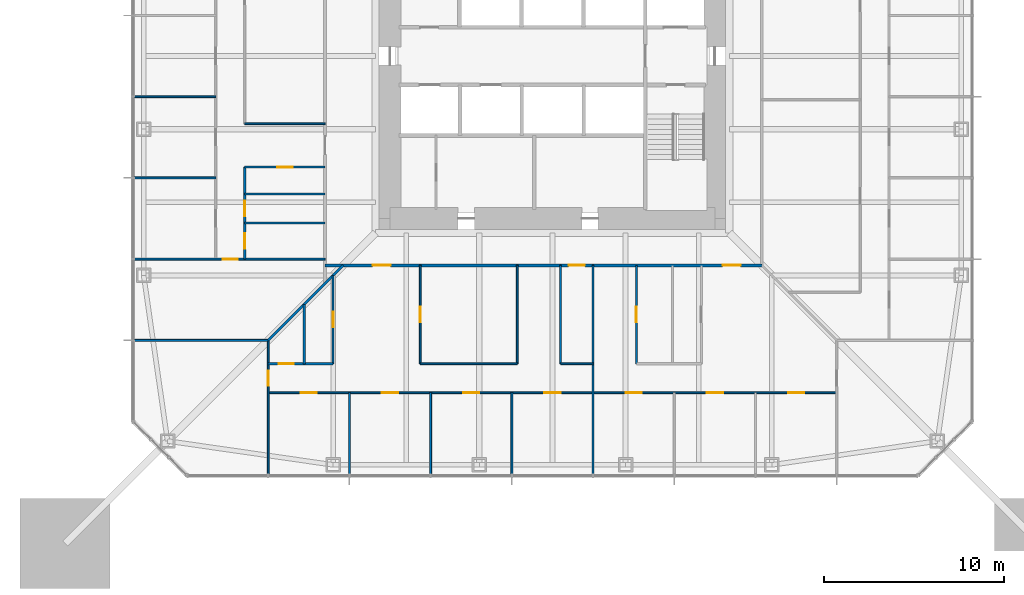
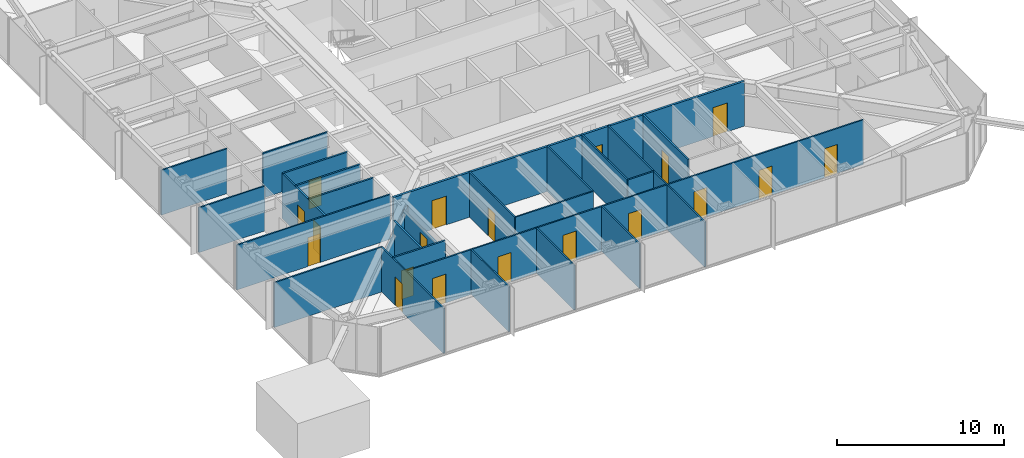
# One storey, part 14 of 26: 26 walls, 19 doors, 19 openings.
"""IFC4 building model written with IfcOpenShell, lengths in metres."""

from ifc_helpers import new_model, si_unit, direction, frame, frame_2d, origin, place, context, subcontext, project, spatial, rectangle, extrude, material, layer, layer_set, type_object, element, fill, save


model = new_model("IFC4")

# Units and contexts
model_context = context("Model", 3, precision=1e-05, world=origin(), true_north=direction((0.0, 1.0)))
body_context = subcontext(model_context, "Body", "Model", "MODEL_VIEW")
ifc_project = project(units=[si_unit("LENGTHUNIT", "METRE"), si_unit("AREAUNIT", "SQUARE_METRE"), si_unit("VOLUMEUNIT", "CUBIC_METRE"), si_unit("PLANEANGLEUNIT", "RADIAN"), si_unit("MASSUNIT", "GRAM", prefix="KILO")], contexts=[model_context])

# Site, building, storey
site_placement = place(None, origin())
site = spatial("IfcSite", under=ifc_project, at=site_placement, CompositionType="ELEMENT")
building_placement = place(site_placement, origin())
building = spatial("IfcBuilding", under=site, at=building_placement, Name="Iwan Alto Co-Living Towers", CompositionType="ELEMENT")
storey_placement = place(building_placement, frame((0.0, 0.0, 46.5)))
storey = spatial("IfcBuildingStorey", under=building, at=storey_placement, Name="L12", CompositionType="ELEMENT", Elevation=46.5)

# Wall, openings, doors
ifc_material_1 = material(Name="Gypsum board")
ifc_layer_1 = layer(ifc_material_1, 0.02490234375, Name="Board", Category="Finish")
ifc_material_2 = material(Name="Steel ASTM A1003 ST33H cold-formed studs", Category="steel")
ifc_layer_2 = layer(ifc_material_2, 0.10009765625, Name="Studs", Category="Framing")
ifc_layer_3 = layer(ifc_material_1, 0.02490234375, Name="Board", Category="Finish")
ifc_layer_set_1 = layer_set([ifc_layer_1, ifc_layer_2, ifc_layer_3], Name="CORRIDOR WALL 150")
wall_type_1 = type_object("IfcWallType", Name="CORRIDOR WALL 150", PredefinedType="PARTITIONING", material=ifc_layer_set_1)
wall_1_placement = place(storey_placement, frame((-12.60009765625, -11.60009765625, 0.0), z_axis=(0.0, 0.0, 1.0), x_axis=(1.0, 0.0, 0.0)))
wall_1 = element("IfcWall", 1, at=wall_1_placement, inside=storey, type_object=wall_type_1, Name="Partition L12", PredefinedType="PARTITIONING", context=body_context, shape_type="SweptSolid", body=[
    extrude(rectangle(XDim=24.2001953125, YDim=0.14990234375, at=frame_2d((12.10009765625, 0.0))), origin(), (0.0, 0.0, 1.0), 3.27001953125),
])
opening_1_placement = place(wall_1_placement, frame((2.639892578125, 0.0, 0.0)))
opening_1 = element("IfcOpeningElement", 2, at=opening_1_placement, cuts=wall_1, Name="Opening D3", PredefinedType="OPENING", context=body_context, shape_type="SweptSolid", body=[
    extrude(rectangle(XDim=1.0, YDim=2.10009765625, at=frame_2d((0.5, 1.050048828125))), frame((0.0, 0.0849609375, 0.0), z_axis=(0.0, -1.0, 0.0), x_axis=(1.0, 0.0, 0.0)), (0.0, 0.0, 1.0), 0.169921875),
])
opening_2_placement = place(wall_1_placement, frame((13.5, 0.0, 0.0)))
opening_2 = element("IfcOpeningElement", 3, at=opening_2_placement, cuts=wall_1, Name="Opening D8", PredefinedType="OPENING", context=body_context, shape_type="SweptSolid", body=[
    extrude(rectangle(XDim=0.89990234375, YDim=2.10009765625, at=frame_2d((0.449951171875, 1.050048828125))), frame((0.0, 0.0849609375, 0.0), z_axis=(0.0, -1.0, 0.0), x_axis=(1.0, 0.0, 0.0)), (0.0, 0.0, 1.0), 0.169921875),
])
opening_3_placement = place(wall_1_placement, frame((22.02490234375, 0.0, 0.0)))
opening_3 = element("IfcOpeningElement", 4, at=opening_3_placement, cuts=wall_1, Name="Opening D3", PredefinedType="OPENING", context=body_context, shape_type="SweptSolid", body=[
    extrude(rectangle(XDim=1.0, YDim=2.10009765625, at=frame_2d((0.5, 1.050048828125))), frame((0.0, 0.0849609375, 0.0), z_axis=(0.0, -1.0, 0.0), x_axis=(1.0, 0.0, 0.0)), (0.0, 0.0, 1.0), 0.169921875),
])
ifc_material_3 = material(Name="Steel frame with timber leaf", Category="steel")
door_type_1 = type_object("IfcDoorType", Name="FLAT ENTRANCE DOOR FD30S 1000X2100", OperationType="SINGLE_SWING_LEFT", PredefinedType="DOOR", material=ifc_material_3)
door_1_placement = place(opening_1_placement, frame((1.0, 0.0, 0.0), z_axis=(0.0, 0.0, 1.0), x_axis=(-1.0, 0.0, 0.0)))
door_1 = element("IfcDoor", 5, at=door_1_placement, inside=storey, type_object=door_type_1, Name="Cluster lounge door L12", OperationType="SINGLE_SWING_LEFT", OverallHeight=2.10009765625, OverallWidth=1.0, PredefinedType="DOOR", context=body_context, shape_type="SweptSolid", body=[
    extrude(rectangle(XDim=1.0, YDim=2.10009765625, at=frame_2d((0.5, 1.050048828125))), frame((0.0, 0.02490234375, 0.0), z_axis=(0.0, -1.0, 0.0), x_axis=(1.0, 0.0, 0.0)), (0.0, 0.0, 1.0), 0.050048828125),
])
fill(opening_1, door_1)
door_2_placement = place(opening_3_placement, frame((1.0, 0.0, 0.0), z_axis=(0.0, 0.0, 1.0), x_axis=(-1.0, 0.0, 0.0)))
door_2 = element("IfcDoor", 6, at=door_2_placement, inside=storey, type_object=door_type_1, Name="Cluster lounge door L12", OperationType="SINGLE_SWING_RIGHT", OverallHeight=2.10009765625, OverallWidth=1.0, PredefinedType="DOOR", context=body_context, shape_type="SweptSolid", body=[
    extrude(rectangle(XDim=1.0, YDim=2.10009765625, at=frame_2d((0.5, 1.050048828125))), frame((0.0, 0.02490234375, 0.0), z_axis=(0.0, -1.0, 0.0), x_axis=(1.0, 0.0, 0.0)), (0.0, 0.0, 1.0), 0.050048828125),
])
fill(opening_3, door_2)
ifc_material_4 = material(Name="Steel frame with timber leaf", Category="steel")
door_type_2 = type_object("IfcDoorType", Name="RISER DOOR FD120 900X2100", OperationType="SINGLE_SWING_LEFT", PredefinedType="DOOR", material=ifc_material_4)
door_3_placement = place(opening_2_placement, frame((0.89990234375, 0.0, 0.0), z_axis=(0.0, 0.0, 1.0), x_axis=(-1.0, 0.0, 0.0)))
door_3 = element("IfcDoor", 7, at=door_3_placement, inside=storey, type_object=door_type_2, Name="Comms room door L12", OperationType="SINGLE_SWING_RIGHT", OverallHeight=2.10009765625, OverallWidth=0.89990234375, PredefinedType="DOOR", context=body_context, shape_type="SweptSolid", body=[
    extrude(rectangle(XDim=0.89990234375, YDim=2.10009765625, at=frame_2d((0.449951171875, 1.050048828125))), frame((0.0, 0.02490234375, 0.0), z_axis=(0.0, -1.0, 0.0), x_axis=(1.0, 0.0, 0.0)), (0.0, 0.0, 1.0), 0.050048828125),
])
fill(opening_2, door_3)

ifc_layer_4 = layer(ifc_material_1, 0.012451171875, Name="Board", Category="Finish")
ifc_layer_5 = layer(ifc_material_2, 0.074951171875, Name="Studs", Category="Framing")
ifc_layer_6 = layer(ifc_material_1, 0.012451171875, Name="Board", Category="Finish")
ifc_layer_set_2 = layer_set([ifc_layer_4, ifc_layer_5, ifc_layer_6], Name="PARTITION 100")
wall_type_2 = type_object("IfcWallType", Name="PARTITION 100", PredefinedType="PARTITIONING", material=ifc_layer_set_2)
wall_2_placement = place(storey_placement, frame((-15.75, -18.64990234375, 0.0), z_axis=(0.0, 0.0, 1.0), x_axis=(1.0, 0.0, 0.0)))
wall_2 = element("IfcWall", 8, at=wall_2_placement, inside=storey, type_object=wall_type_2, Name="Partition L12", PredefinedType="PARTITIONING", context=body_context, shape_type="SweptSolid", body=[
    extrude(rectangle(XDim=31.5, YDim=0.10009765625, at=frame_2d((15.75, 0.0))), origin(), (0.0, 0.0, 1.0), 3.27001953125),
])
opening_4_placement = place(wall_2_placement, frame((1.800048828125, 0.0, 0.0)))
opening_4 = element("IfcOpeningElement", 9, at=opening_4_placement, cuts=wall_2, Name="Opening D1", PredefinedType="OPENING", context=body_context, shape_type="SweptSolid", body=[
    extrude(rectangle(XDim=0.89990234375, YDim=2.10009765625, at=frame_2d((0.449951171875, 1.050048828125))), frame((0.0, 0.06005859375, 0.0), z_axis=(0.0, -1.0, 0.0), x_axis=(1.0, 0.0, 0.0)), (0.0, 0.0, 1.0), 0.1201171875),
])
opening_5_placement = place(wall_2_placement, frame((6.300048828125, 0.0, 0.0)))
opening_5 = element("IfcOpeningElement", 10, at=opening_5_placement, cuts=wall_2, Name="Opening D1", PredefinedType="OPENING", context=body_context, shape_type="SweptSolid", body=[
    extrude(rectangle(XDim=0.89990234375, YDim=2.10009765625, at=frame_2d((0.449951171875, 1.050048828125))), frame((0.0, 0.06005859375, 0.0), z_axis=(0.0, -1.0, 0.0), x_axis=(1.0, 0.0, 0.0)), (0.0, 0.0, 1.0), 0.1201171875),
])
opening_6_placement = place(wall_2_placement, frame((10.800048828125, 0.0, 0.0)))
opening_6 = element("IfcOpeningElement", 11, at=opening_6_placement, cuts=wall_2, Name="Opening D1", PredefinedType="OPENING", context=body_context, shape_type="SweptSolid", body=[
    extrude(rectangle(XDim=0.89990234375, YDim=2.10009765625, at=frame_2d((0.449951171875, 1.050048828125))), frame((0.0, 0.06005859375, 0.0), z_axis=(0.0, -1.0, 0.0), x_axis=(1.0, 0.0, 0.0)), (0.0, 0.0, 1.0), 0.1201171875),
])
opening_7_placement = place(wall_2_placement, frame((15.300048828125, 0.0, 0.0)))
opening_7 = element("IfcOpeningElement", 12, at=opening_7_placement, cuts=wall_2, Name="Opening D1", PredefinedType="OPENING", context=body_context, shape_type="SweptSolid", body=[
    extrude(rectangle(XDim=0.89990234375, YDim=2.10009765625, at=frame_2d((0.449951171875, 1.050048828125))), frame((0.0, 0.06005859375, 0.0), z_axis=(0.0, -1.0, 0.0), x_axis=(1.0, 0.0, 0.0)), (0.0, 0.0, 1.0), 0.1201171875),
])
opening_8_placement = place(wall_2_placement, frame((19.800048828125, 0.0, 0.0)))
opening_8 = element("IfcOpeningElement", 13, at=opening_8_placement, cuts=wall_2, Name="Opening D1", PredefinedType="OPENING", context=body_context, shape_type="SweptSolid", body=[
    extrude(rectangle(XDim=0.89990234375, YDim=2.10009765625, at=frame_2d((0.449951171875, 1.050048828125))), frame((0.0, 0.06005859375, 0.0), z_axis=(0.0, -1.0, 0.0), x_axis=(1.0, 0.0, 0.0)), (0.0, 0.0, 1.0), 0.1201171875),
])
opening_9_placement = place(wall_2_placement, frame((24.300048828125, 0.0, 0.0)))
opening_9 = element("IfcOpeningElement", 14, at=opening_9_placement, cuts=wall_2, Name="Opening D1", PredefinedType="OPENING", context=body_context, shape_type="SweptSolid", body=[
    extrude(rectangle(XDim=0.89990234375, YDim=2.10009765625, at=frame_2d((0.449951171875, 1.050048828125))), frame((0.0, 0.06005859375, 0.0), z_axis=(0.0, -1.0, 0.0), x_axis=(1.0, 0.0, 0.0)), (0.0, 0.0, 1.0), 0.1201171875),
])
opening_10_placement = place(wall_2_placement, frame((28.800048828125, 0.0, 0.0)))
opening_10 = element("IfcOpeningElement", 15, at=opening_10_placement, cuts=wall_2, Name="Opening D1", PredefinedType="OPENING", context=body_context, shape_type="SweptSolid", body=[
    extrude(rectangle(XDim=0.89990234375, YDim=2.10009765625, at=frame_2d((0.449951171875, 1.050048828125))), frame((0.0, 0.06005859375, 0.0), z_axis=(0.0, -1.0, 0.0), x_axis=(1.0, 0.0, 0.0)), (0.0, 0.0, 1.0), 0.1201171875),
])
ifc_material_5 = material(Name="Timber leaf in steel frame", Category="steel")
door_type_3 = type_object("IfcDoorType", Name="BEDROOM DOOR 900X2100", OperationType="SINGLE_SWING_LEFT", PredefinedType="DOOR", material=ifc_material_5)
door_4_placement = place(opening_4_placement, origin())
door_4 = element("IfcDoor", 16, at=door_4_placement, inside=storey, type_object=door_type_3, Name="Study bedroom door L12", OperationType="SINGLE_SWING_LEFT", OverallHeight=2.10009765625, OverallWidth=0.89990234375, PredefinedType="DOOR", context=body_context, shape_type="SweptSolid", body=[
    extrude(rectangle(XDim=0.89990234375, YDim=2.10009765625, at=frame_2d((0.449951171875, 1.050048828125))), frame((0.0, 0.02490234375, 0.0), z_axis=(0.0, -1.0, 0.0), x_axis=(1.0, 0.0, 0.0)), (0.0, 0.0, 1.0), 0.050048828125),
])
fill(opening_4, door_4)
door_5_placement = place(opening_5_placement, origin())
door_5 = element("IfcDoor", 17, at=door_5_placement, inside=storey, type_object=door_type_3, Name="Study bedroom door L12", OperationType="SINGLE_SWING_LEFT", OverallHeight=2.10009765625, OverallWidth=0.89990234375, PredefinedType="DOOR", context=body_context, shape_type="SweptSolid", body=[
    extrude(rectangle(XDim=0.89990234375, YDim=2.10009765625, at=frame_2d((0.449951171875, 1.050048828125))), frame((0.0, 0.02490234375, 0.0), z_axis=(0.0, -1.0, 0.0), x_axis=(1.0, 0.0, 0.0)), (0.0, 0.0, 1.0), 0.050048828125),
])
fill(opening_5, door_5)
door_6_placement = place(opening_6_placement, origin())
door_6 = element("IfcDoor", 18, at=door_6_placement, inside=storey, type_object=door_type_3, Name="Study bedroom door L12", OperationType="SINGLE_SWING_RIGHT", OverallHeight=2.10009765625, OverallWidth=0.89990234375, PredefinedType="DOOR", context=body_context, shape_type="SweptSolid", body=[
    extrude(rectangle(XDim=0.89990234375, YDim=2.10009765625, at=frame_2d((0.449951171875, 1.050048828125))), frame((0.0, 0.02490234375, 0.0), z_axis=(0.0, -1.0, 0.0), x_axis=(1.0, 0.0, 0.0)), (0.0, 0.0, 1.0), 0.050048828125),
])
fill(opening_6, door_6)
door_7_placement = place(opening_7_placement, origin())
door_7 = element("IfcDoor", 19, at=door_7_placement, inside=storey, type_object=door_type_3, Name="Study bedroom door L12", OperationType="SINGLE_SWING_RIGHT", OverallHeight=2.10009765625, OverallWidth=0.89990234375, PredefinedType="DOOR", context=body_context, shape_type="SweptSolid", body=[
    extrude(rectangle(XDim=0.89990234375, YDim=2.10009765625, at=frame_2d((0.449951171875, 1.050048828125))), frame((0.0, 0.02490234375, 0.0), z_axis=(0.0, -1.0, 0.0), x_axis=(1.0, 0.0, 0.0)), (0.0, 0.0, 1.0), 0.050048828125),
])
fill(opening_7, door_7)
door_8_placement = place(opening_8_placement, origin())
door_8 = element("IfcDoor", 20, at=door_8_placement, inside=storey, type_object=door_type_3, Name="Study bedroom door L12", OperationType="SINGLE_SWING_LEFT", OverallHeight=2.10009765625, OverallWidth=0.89990234375, PredefinedType="DOOR", context=body_context, shape_type="SweptSolid", body=[
    extrude(rectangle(XDim=0.89990234375, YDim=2.10009765625, at=frame_2d((0.449951171875, 1.050048828125))), frame((0.0, 0.02490234375, 0.0), z_axis=(0.0, -1.0, 0.0), x_axis=(1.0, 0.0, 0.0)), (0.0, 0.0, 1.0), 0.050048828125),
])
fill(opening_8, door_8)
door_9_placement = place(opening_9_placement, origin())
door_9 = element("IfcDoor", 21, at=door_9_placement, inside=storey, type_object=door_type_3, Name="Study bedroom door L12", OperationType="SINGLE_SWING_LEFT", OverallHeight=2.10009765625, OverallWidth=0.89990234375, PredefinedType="DOOR", context=body_context, shape_type="SweptSolid", body=[
    extrude(rectangle(XDim=0.89990234375, YDim=2.10009765625, at=frame_2d((0.449951171875, 1.050048828125))), frame((0.0, 0.02490234375, 0.0), z_axis=(0.0, -1.0, 0.0), x_axis=(1.0, 0.0, 0.0)), (0.0, 0.0, 1.0), 0.050048828125),
])
fill(opening_9, door_9)
door_10_placement = place(opening_10_placement, origin())
door_10 = element("IfcDoor", 22, at=door_10_placement, inside=storey, type_object=door_type_3, Name="Study bedroom door L12", OperationType="SINGLE_SWING_RIGHT", OverallHeight=2.10009765625, OverallWidth=0.89990234375, PredefinedType="DOOR", context=body_context, shape_type="SweptSolid", body=[
    extrude(rectangle(XDim=0.89990234375, YDim=2.10009765625, at=frame_2d((0.449951171875, 1.050048828125))), frame((0.0, 0.02490234375, 0.0), z_axis=(0.0, -1.0, 0.0), x_axis=(1.0, 0.0, 0.0)), (0.0, 0.0, 1.0), 0.050048828125),
])
fill(opening_10, door_10)

# Walls
wall_3_placement = place(storey_placement, frame((-7.320068359375, -17.050048828125, 0.0), z_axis=(0.0, 0.0, 1.0), x_axis=(1.0, 0.0, 0.0)))
element("IfcWall", 23, at=wall_3_placement, inside=storey, type_object=wall_type_2, Name="Partition L12", PredefinedType="PARTITIONING", context=body_context, shape_type="SweptSolid", body=[
    extrude(rectangle(XDim=5.3701171875, YDim=0.10009765625, at=frame_2d((2.68505859375, 0.0))), origin(), (0.0, 0.0, 1.0), 3.27001953125),
])
wall_4_placement = place(storey_placement, frame((0.449951171875, -17.050048828125, 0.0), z_axis=(0.0, 0.0, 1.0), x_axis=(1.0, 0.0, 0.0)))
element("IfcWall", 24, at=wall_4_placement, inside=storey, type_object=wall_type_2, Name="Partition L12", PredefinedType="PARTITIONING", context=body_context, shape_type="SweptSolid", body=[
    extrude(rectangle(XDim=1.800048828125, YDim=0.10009765625, at=frame_2d((0.89990234375, 0.0))), origin(), (0.0, 0.0, 1.0), 3.27001953125),
])
wall_5_placement = place(storey_placement, frame((-23.18994140625, -15.75, 0.0), z_axis=(0.0, 0.0, 1.0), x_axis=(1.0, 0.0, 0.0)))
element("IfcWall", 25, at=wall_5_placement, inside=storey, type_object=wall_type_2, Name="Partition L12", PredefinedType="PARTITIONING", context=body_context, shape_type="SweptSolid", body=[
    extrude(rectangle(XDim=7.43994140625, YDim=0.10009765625, at=frame_2d((3.719970703125, 0.0))), origin(), (0.0, 0.0, 1.0), 3.27001953125),
])

# Wall, opening, door
wall_6_placement = place(storey_placement, frame((-23.18994140625, -11.25, 0.0), z_axis=(0.0, 0.0, 1.0), x_axis=(1.0, 0.0, 0.0)))
wall_6 = element("IfcWall", 26, at=wall_6_placement, inside=storey, type_object=wall_type_2, Name="Partition L12", PredefinedType="PARTITIONING", context=body_context, shape_type="SweptSolid", body=[
    extrude(rectangle(XDim=10.58984375, YDim=0.10009765625, at=frame_2d((5.294921875, 0.0))), origin(), (0.0, 0.0, 1.0), 3.27001953125),
])
opening_11_placement = place(wall_6_placement, frame((4.9150390625, 0.0, 0.0)))
opening_11 = element("IfcOpeningElement", 27, at=opening_11_placement, cuts=wall_6, Name="Opening D2", PredefinedType="OPENING", context=body_context, shape_type="SweptSolid", body=[
    extrude(rectangle(XDim=0.85009765625, YDim=2.10009765625, at=frame_2d((0.425048828125, 1.050048828125))), frame((0.0, 0.06005859375, 0.0), z_axis=(0.0, -1.0, 0.0), x_axis=(1.0, 0.0, 0.0)), (0.0, 0.0, 1.0), 0.1201171875),
])
ifc_material_6 = material(Name="Timber leaf in steel frame", Category="steel")
door_type_4 = type_object("IfcDoorType", Name="ROOM DOOR 850X2100", OperationType="SINGLE_SWING_LEFT", PredefinedType="DOOR", material=ifc_material_6)
door_11_placement = place(opening_11_placement, origin())
door_11 = element("IfcDoor", 28, at=door_11_placement, inside=storey, type_object=door_type_4, Name="Co-working room door L12", OperationType="SINGLE_SWING_LEFT", OverallHeight=2.10009765625, OverallWidth=0.85009765625, PredefinedType="DOOR", context=body_context, shape_type="SweptSolid", body=[
    extrude(rectangle(XDim=0.85009765625, YDim=2.10009765625, at=frame_2d((0.425048828125, 1.050048828125))), frame((0.0, 0.02490234375, 0.0), z_axis=(0.0, -1.0, 0.0), x_axis=(1.0, 0.0, 0.0)), (0.0, 0.0, 1.0), 0.050048828125),
])
fill(opening_11, door_11)

# Walls
wall_7_placement = place(storey_placement, frame((-23.18994140625, -6.75, 0.0), z_axis=(0.0, 0.0, 1.0), x_axis=(1.0, 0.0, 0.0)))
element("IfcWall", 29, at=wall_7_placement, inside=storey, type_object=wall_type_2, Name="Partition L12", PredefinedType="PARTITIONING", context=body_context, shape_type="SweptSolid", body=[
    extrude(rectangle(XDim=4.5400390625, YDim=0.10009765625, at=frame_2d((2.27001953125, 0.0))), origin(), (0.0, 0.0, 1.0), 3.27001953125),
])
wall_8_placement = place(storey_placement, frame((-17.050048828125, -3.75, 0.0), z_axis=(0.0, 0.0, 1.0), x_axis=(1.0, 0.0, 0.0)))
element("IfcWall", 30, at=wall_8_placement, inside=storey, type_object=wall_type_2, Name="Partition L12", PredefinedType="PARTITIONING", context=body_context, shape_type="SweptSolid", body=[
    extrude(rectangle(XDim=4.449951171875, YDim=0.10009765625, at=frame_2d((2.22509765625, 0.0))), origin(), (0.0, 0.0, 1.0), 3.27001953125),
])
wall_9_placement = place(storey_placement, frame((-23.18994140625, -2.25, 0.0), z_axis=(0.0, 0.0, 1.0), x_axis=(1.0, 0.0, 0.0)))
element("IfcWall", 31, at=wall_9_placement, inside=storey, type_object=wall_type_2, Name="Partition L12", PredefinedType="PARTITIONING", context=body_context, shape_type="SweptSolid", body=[
    extrude(rectangle(XDim=4.5400390625, YDim=0.10009765625, at=frame_2d((2.27001953125, 0.0))), origin(), (0.0, 0.0, 1.0), 3.27001953125),
])
wall_10_placement = place(storey_placement, frame((2.25, -23.18994140625, 0.0), z_axis=(0.0, 0.0, 1.0), x_axis=(0.0, 1.0, 0.0)))
element("IfcWall", 32, at=wall_10_placement, inside=storey, type_object=wall_type_2, Name="Partition L12", PredefinedType="PARTITIONING", context=body_context, shape_type="SweptSolid", body=[
    extrude(rectangle(XDim=11.58984375, YDim=0.10009765625, at=frame_2d((5.794921875, 0.0))), origin(), (0.0, 0.0, 1.0), 3.27001953125),
])
for number, where, z_axis, x_axis, name in (
    (33, (0.449951171875, -17.050048828125, 0.0), (0.0, 0.0, 1.0), (0.0, 1.0, 0.0), "Partition L12"),
    (34, (-1.949951171875, -17.050048828125, 0.0), (0.0, 0.0, 1.0), (0.0, 1.0, 0.0), "Partition L12"),
):
    element("IfcWall", number, at=place(storey_placement, frame(where, z_axis=z_axis, x_axis=x_axis)), inside=storey, type_object=wall_type_2, Name=name, PredefinedType="PARTITIONING", context=body_context, shape_type="SweptSolid", body=[
        extrude(rectangle(XDim=5.449951171875, YDim=0.10009765625, at=frame_2d((2.72509765625, 0.0))), origin(), (0.0, 0.0, 1.0), 3.27001953125),
    ])
for number, where, z_axis, x_axis, name in (
    (35, (-2.25, -23.18994140625, 0.0), (0.0, 0.0, 1.0), (0.0, 1.0, 0.0), "Partition L12"),
    (36, (-6.75, -23.18994140625, 0.0), (0.0, 0.0, 1.0), (0.0, 1.0, 0.0), "Partition L12"),
):
    element("IfcWall", number, at=place(storey_placement, frame(where, z_axis=z_axis, x_axis=x_axis)), inside=storey, type_object=wall_type_2, Name=name, PredefinedType="PARTITIONING", context=body_context, shape_type="SweptSolid", body=[
        extrude(rectangle(XDim=4.5400390625, YDim=0.10009765625, at=frame_2d((2.27001953125, 0.0))), origin(), (0.0, 0.0, 1.0), 3.27001953125),
    ])

# Wall, opening, door
wall_11_placement = place(storey_placement, frame((-7.320068359375, -17.050048828125, 0.0), z_axis=(0.0, 0.0, 1.0), x_axis=(0.0, 1.0, 0.0)))
wall_11 = element("IfcWall", 37, at=wall_11_placement, inside=storey, type_object=wall_type_2, Name="Partition L12", PredefinedType="PARTITIONING", context=body_context, shape_type="SweptSolid", body=[
    extrude(rectangle(XDim=5.449951171875, YDim=0.10009765625, at=frame_2d((2.72509765625, 0.0))), origin(), (0.0, 0.0, 1.0), 3.27001953125),
])
opening_12_placement = place(wall_11_placement, frame((2.300048828125, 0.0, 0.0)))
opening_12 = element("IfcOpeningElement", 38, at=opening_12_placement, cuts=wall_11, Name="Opening D2", PredefinedType="OPENING", context=body_context, shape_type="SweptSolid", body=[
    extrude(rectangle(XDim=0.85009765625, YDim=2.10009765625, at=frame_2d((0.425048828125, 1.050048828125))), frame((0.0, 0.06005859375, 0.0), z_axis=(0.0, -1.0, 0.0), x_axis=(1.0, 0.0, 0.0)), (0.0, 0.0, 1.0), 0.1201171875),
])
door_12_placement = place(opening_12_placement, origin())
door_12 = element("IfcDoor", 39, at=door_12_placement, inside=storey, type_object=door_type_4, Name="Study room door L12", OperationType="SINGLE_SWING_RIGHT", OverallHeight=2.10009765625, OverallWidth=0.85009765625, PredefinedType="DOOR", context=body_context, shape_type="SweptSolid", body=[
    extrude(rectangle(XDim=0.85009765625, YDim=2.10009765625, at=frame_2d((0.425048828125, 1.050048828125))), frame((0.0, 0.02490234375, 0.0), z_axis=(0.0, -1.0, 0.0), x_axis=(1.0, 0.0, 0.0)), (0.0, 0.0, 1.0), 0.050048828125),
])
fill(opening_12, door_12)

# Wall
wall_12_placement = place(storey_placement, frame((-11.25, -23.18994140625, 0.0), z_axis=(0.0, 0.0, 1.0), x_axis=(0.0, 1.0, 0.0)))
element("IfcWall", 40, at=wall_12_placement, inside=storey, type_object=wall_type_2, Name="Partition L12", PredefinedType="PARTITIONING", context=body_context, shape_type="SweptSolid", body=[
    extrude(rectangle(XDim=4.5400390625, YDim=0.10009765625, at=frame_2d((2.27001953125, 0.0))), origin(), (0.0, 0.0, 1.0), 3.27001953125),
])

# Wall, opening, door
wall_13_placement = place(storey_placement, frame((-15.75, -23.18994140625, 0.0), z_axis=(0.0, 0.0, 1.0), x_axis=(0.0, 1.0, 0.0)))
wall_13 = element("IfcWall", 41, at=wall_13_placement, inside=storey, type_object=wall_type_2, Name="Partition L12", PredefinedType="PARTITIONING", context=body_context, shape_type="SweptSolid", body=[
    extrude(rectangle(XDim=7.43994140625, YDim=0.10009765625, at=frame_2d((3.719970703125, 0.0))), origin(), (0.0, 0.0, 1.0), 3.27001953125),
])
opening_13_placement = place(wall_13_placement, frame((4.9150390625, 0.0, 0.0)))
opening_13 = element("IfcOpeningElement", 42, at=opening_13_placement, cuts=wall_13, Name="Opening D2", PredefinedType="OPENING", context=body_context, shape_type="SweptSolid", body=[
    extrude(rectangle(XDim=0.85009765625, YDim=2.10009765625, at=frame_2d((0.425048828125, 1.050048828125))), frame((0.0, 0.06005859375, 0.0), z_axis=(0.0, -1.0, 0.0), x_axis=(1.0, 0.0, 0.0)), (0.0, 0.0, 1.0), 0.1201171875),
])
door_13_placement = place(opening_13_placement, frame((0.85009765625, 0.0, 0.0), z_axis=(0.0, 0.0, 1.0), x_axis=(-1.0, 0.0, 0.0)))
door_13 = element("IfcDoor", 43, at=door_13_placement, inside=storey, type_object=door_type_4, Name="Shared kitchen and dining room door L12", OperationType="SINGLE_SWING_RIGHT", OverallHeight=2.10009765625, OverallWidth=0.85009765625, PredefinedType="DOOR", context=body_context, shape_type="SweptSolid", body=[
    extrude(rectangle(XDim=0.85009765625, YDim=2.10009765625, at=frame_2d((0.425048828125, 1.050048828125))), frame((0.0, 0.02490234375, 0.0), z_axis=(0.0, -1.0, 0.0), x_axis=(1.0, 0.0, 0.0)), (0.0, 0.0, 1.0), 0.050048828125),
])
fill(opening_13, door_13)

ifc_material_7 = material(Name="Cement board")
ifc_layer_7 = layer(ifc_material_7, 0.012451171875, Name="Board", Category="Finish")
ifc_layer_8 = layer(ifc_material_2, 0.094970703125, Name="Studs", Category="Framing")
ifc_layer_9 = layer(ifc_material_7, 0.012451171875, Name="Board", Category="Finish")
ifc_layer_set_3 = layer_set([ifc_layer_7, ifc_layer_8, ifc_layer_9], Name="WET AREA PARTITION 120")
wall_type_3 = type_object("IfcWallType", Name="WET AREA PARTITION 120", PredefinedType="PARTITIONING", material=ifc_layer_set_3)
wall_14_placement = place(storey_placement, frame((-15.75, -17.050048828125, 0.0), z_axis=(0.0, 0.0, 1.0), x_axis=(1.0, 0.0, 0.0)))
wall_14 = element("IfcWall", 44, at=wall_14_placement, inside=storey, type_object=wall_type_3, Name="Partition L12", PredefinedType="PARTITIONING", context=body_context, shape_type="SweptSolid", body=[
    extrude(rectangle(XDim=3.60009765625, YDim=0.1201171875, at=frame_2d((1.800048828125, 0.0))), origin(), (0.0, 0.0, 1.0), 3.27001953125),
])
opening_14_placement = place(wall_14_placement, frame((0.574951171875, 0.0, 0.0)))
opening_14 = element("IfcOpeningElement", 45, at=opening_14_placement, cuts=wall_14, Name="Opening D2", PredefinedType="OPENING", context=body_context, shape_type="SweptSolid", body=[
    extrude(rectangle(XDim=0.85009765625, YDim=2.10009765625, at=frame_2d((0.425048828125, 1.050048828125))), frame((0.0, 0.070068359375, 0.0), z_axis=(0.0, -1.0, 0.0), x_axis=(1.0, 0.0, 0.0)), (0.0, 0.0, 1.0), 0.14013671875),
])
door_14_placement = place(opening_14_placement, frame((0.85009765625, 0.0, 0.0), z_axis=(0.0, 0.0, 1.0), x_axis=(-1.0, 0.0, 0.0)))
door_14 = element("IfcDoor", 46, at=door_14_placement, inside=storey, type_object=door_type_4, Name="Laundry door L12", OperationType="SINGLE_SWING_RIGHT", OverallHeight=2.10009765625, OverallWidth=0.85009765625, PredefinedType="DOOR", context=body_context, shape_type="SweptSolid", body=[
    extrude(rectangle(XDim=0.85009765625, YDim=2.10009765625, at=frame_2d((0.425048828125, 1.050048828125))), frame((0.0, 0.02490234375, 0.0), z_axis=(0.0, -1.0, 0.0), x_axis=(1.0, 0.0, 0.0)), (0.0, 0.0, 1.0), 0.050048828125),
])
fill(opening_14, door_14)

# Walls
for number, where, z_axis, x_axis, name in (
    (47, (-17.050048828125, -9.25, 0.0), (0.0, 0.0, 1.0), (1.0, 0.0, 0.0), "Partition L12"),
    (48, (-17.050048828125, -7.64990234375, 0.0), (0.0, 0.0, 1.0), (1.0, 0.0, 0.0), "Partition L12"),
):
    element("IfcWall", number, at=place(storey_placement, frame(where, z_axis=z_axis, x_axis=x_axis)), inside=storey, type_object=wall_type_3, Name=name, PredefinedType="PARTITIONING", context=body_context, shape_type="SweptSolid", body=[
        extrude(rectangle(XDim=4.449951171875, YDim=0.1201171875, at=frame_2d((2.22509765625, 0.0))), origin(), (0.0, 0.0, 1.0), 3.27001953125),
    ])

# Wall, opening, door
wall_15_placement = place(storey_placement, frame((-17.050048828125, -6.14990234375, 0.0), z_axis=(0.0, 0.0, 1.0), x_axis=(1.0, 0.0, 0.0)))
wall_15 = element("IfcWall", 49, at=wall_15_placement, inside=storey, type_object=wall_type_3, Name="Partition L12", PredefinedType="PARTITIONING", context=body_context, shape_type="SweptSolid", body=[
    extrude(rectangle(XDim=4.449951171875, YDim=0.1201171875, at=frame_2d((2.22509765625, 0.0))), origin(), (0.0, 0.0, 1.0), 3.27001953125),
])
opening_15_placement = place(wall_15_placement, frame((1.800048828125, 0.0, 0.0)))
opening_15 = element("IfcOpeningElement", 50, at=opening_15_placement, cuts=wall_15, Name="Opening D2", PredefinedType="OPENING", context=body_context, shape_type="SweptSolid", body=[
    extrude(rectangle(XDim=0.85009765625, YDim=2.10009765625, at=frame_2d((0.425048828125, 1.050048828125))), frame((0.0, 0.070068359375, 0.0), z_axis=(0.0, -1.0, 0.0), x_axis=(1.0, 0.0, 0.0)), (0.0, 0.0, 1.0), 0.14013671875),
])
door_15_placement = place(opening_15_placement, origin())
door_15 = element("IfcDoor", 51, at=door_15_placement, inside=storey, type_object=door_type_4, Name="Bathroom door L12", OperationType="SINGLE_SWING_RIGHT", OverallHeight=2.10009765625, OverallWidth=0.85009765625, PredefinedType="DOOR", context=body_context, shape_type="SweptSolid", body=[
    extrude(rectangle(XDim=0.85009765625, YDim=2.10009765625, at=frame_2d((0.425048828125, 1.050048828125))), frame((0.0, 0.02490234375, 0.0), z_axis=(0.0, -1.0, 0.0), x_axis=(1.0, 0.0, 0.0)), (0.0, 0.0, 1.0), 0.050048828125),
])
fill(opening_15, door_15)

# Wall
wall_16_placement = place(storey_placement, frame((-15.75, -15.75, 0.0), z_axis=(0.0, 0.0, 1.0), x_axis=(0.707106781187, 0.707106781187, 0.0)))
element("IfcWall", 52, at=wall_16_placement, inside=storey, type_object=wall_type_3, Name="Partition L12", PredefinedType="PARTITIONING", context=body_context, shape_type="SweptSolid", body=[
    extrude(rectangle(XDim=5.868896484375, YDim=0.1201171875, at=frame_2d((2.9345703125, 0.0))), origin(), (0.0, 0.0, 1.0), 2.343017578125),
])

# Wall, opening, door
wall_17_placement = place(storey_placement, frame((4.64990234375, -17.050048828125, 0.0), z_axis=(0.0, 0.0, 1.0), x_axis=(0.0, 1.0, 0.0)))
wall_17 = element("IfcWall", 53, at=wall_17_placement, inside=storey, type_object=wall_type_3, Name="Partition L12", PredefinedType="PARTITIONING", context=body_context, shape_type="SweptSolid", body=[
    extrude(rectangle(XDim=5.449951171875, YDim=0.1201171875, at=frame_2d((2.72509765625, 0.0))), origin(), (0.0, 0.0, 1.0), 3.27001953125),
])
opening_16_placement = place(wall_17_placement, frame((2.300048828125, 0.0, 0.0)))
opening_16 = element("IfcOpeningElement", 54, at=opening_16_placement, cuts=wall_17, Name="Opening D2", PredefinedType="OPENING", context=body_context, shape_type="SweptSolid", body=[
    extrude(rectangle(XDim=0.85009765625, YDim=2.10009765625, at=frame_2d((0.425048828125, 1.050048828125))), frame((0.0, 0.070068359375, 0.0), z_axis=(0.0, -1.0, 0.0), x_axis=(1.0, 0.0, 0.0)), (0.0, 0.0, 1.0), 0.14013671875),
])
door_16_placement = place(opening_16_placement, origin())
door_16 = element("IfcDoor", 55, at=door_16_placement, inside=storey, type_object=door_type_4, Name="Laundry door L12", OperationType="SINGLE_SWING_RIGHT", OverallHeight=2.10009765625, OverallWidth=0.85009765625, PredefinedType="DOOR", context=body_context, shape_type="SweptSolid", body=[
    extrude(rectangle(XDim=0.85009765625, YDim=2.10009765625, at=frame_2d((0.425048828125, 1.050048828125))), frame((0.0, 0.02490234375, 0.0), z_axis=(0.0, -1.0, 0.0), x_axis=(1.0, 0.0, 0.0)), (0.0, 0.0, 1.0), 0.050048828125),
])
fill(opening_16, door_16)

wall_18_placement = place(storey_placement, frame((-12.14990234375, -17.050048828125, 0.0), z_axis=(0.0, 0.0, 1.0), x_axis=(0.0, 1.0, 0.0)))
wall_18 = element("IfcWall", 56, at=wall_18_placement, inside=storey, type_object=wall_type_3, Name="Partition L12", PredefinedType="PARTITIONING", context=body_context, shape_type="SweptSolid", body=[
    extrude(rectangle(XDim=4.900146484375, YDim=0.1201171875, at=frame_2d((2.4501953125, 0.0))), origin(), (0.0, 0.0, 1.0), 2.508056640625),
])
opening_17_placement = place(wall_18_placement, frame((2.02490234375, 0.0, 0.0)))
opening_17 = element("IfcOpeningElement", 57, at=opening_17_placement, cuts=wall_18, Name="Opening D2", PredefinedType="OPENING", context=body_context, shape_type="SweptSolid", body=[
    extrude(rectangle(XDim=0.85009765625, YDim=2.10009765625, at=frame_2d((0.425048828125, 1.050048828125))), frame((0.0, 0.070068359375, 0.0), z_axis=(0.0, -1.0, 0.0), x_axis=(1.0, 0.0, 0.0)), (0.0, 0.0, 1.0), 0.14013671875),
])
door_17_placement = place(opening_17_placement, frame((0.85009765625, 0.0, 0.0), z_axis=(0.0, 0.0, 1.0), x_axis=(-1.0, 0.0, 0.0)))
door_17 = element("IfcDoor", 58, at=door_17_placement, inside=storey, type_object=door_type_4, Name="Accessible bathroom door L12", OperationType="SINGLE_SWING_LEFT", OverallHeight=2.10009765625, OverallWidth=0.85009765625, PredefinedType="DOOR", context=body_context, shape_type="SweptSolid", body=[
    extrude(rectangle(XDim=0.85009765625, YDim=2.10009765625, at=frame_2d((0.425048828125, 1.050048828125))), frame((0.0, 0.02490234375, 0.0), z_axis=(0.0, -1.0, 0.0), x_axis=(1.0, 0.0, 0.0)), (0.0, 0.0, 1.0), 0.050048828125),
])
fill(opening_17, door_17)

# Wall
wall_19_placement = place(storey_placement, frame((-13.75, -17.050048828125, 0.0), z_axis=(0.0, 0.0, 1.0), x_axis=(0.0, 1.0, 0.0)))
element("IfcWall", 59, at=wall_19_placement, inside=storey, type_object=wall_type_3, Name="Partition L12", PredefinedType="PARTITIONING", context=body_context, shape_type="SweptSolid", body=[
    extrude(rectangle(XDim=3.300048828125, YDim=0.1201171875, at=frame_2d((1.64990234375, 0.0))), origin(), (0.0, 0.0, 1.0), 3.27001953125),
])

# Wall, openings, doors
wall_20_placement = place(storey_placement, frame((-17.050048828125, -11.25, 0.0), z_axis=(0.0, 0.0, 1.0), x_axis=(0.0, 1.0, 0.0)))
wall_20 = element("IfcWall", 60, at=wall_20_placement, inside=storey, type_object=wall_type_3, Name="Partition L12", PredefinedType="PARTITIONING", context=body_context, shape_type="SweptSolid", body=[
    extrude(rectangle(XDim=5.10009765625, YDim=0.1201171875, at=frame_2d((2.550048828125, 0.0))), origin(), (0.0, 0.0, 1.0), 3.27001953125),
])
opening_18_placement = place(wall_20_placement, frame((2.375, 0.0, 0.0)))
opening_18 = element("IfcOpeningElement", 61, at=opening_18_placement, cuts=wall_20, Name="Opening D2", PredefinedType="OPENING", context=body_context, shape_type="SweptSolid", body=[
    extrude(rectangle(XDim=0.85009765625, YDim=2.10009765625, at=frame_2d((0.425048828125, 1.050048828125))), frame((0.0, 0.070068359375, 0.0), z_axis=(0.0, -1.0, 0.0), x_axis=(1.0, 0.0, 0.0)), (0.0, 0.0, 1.0), 0.14013671875),
])
opening_19_placement = place(wall_20_placement, frame((0.574951171875, 0.0, 0.0)))
opening_19 = element("IfcOpeningElement", 62, at=opening_19_placement, cuts=wall_20, Name="Opening D2", PredefinedType="OPENING", context=body_context, shape_type="SweptSolid", body=[
    extrude(rectangle(XDim=0.85009765625, YDim=2.10009765625, at=frame_2d((0.425048828125, 1.050048828125))), frame((0.0, 0.070068359375, 0.0), z_axis=(0.0, -1.0, 0.0), x_axis=(1.0, 0.0, 0.0)), (0.0, 0.0, 1.0), 0.14013671875),
])
door_18_placement = place(opening_18_placement, origin())
door_18 = element("IfcDoor", 63, at=door_18_placement, inside=storey, type_object=door_type_4, Name="Accessible bathroom door L12", OperationType="SINGLE_SWING_LEFT", OverallHeight=2.10009765625, OverallWidth=0.85009765625, PredefinedType="DOOR", context=body_context, shape_type="SweptSolid", body=[
    extrude(rectangle(XDim=0.85009765625, YDim=2.10009765625, at=frame_2d((0.425048828125, 1.050048828125))), frame((0.0, 0.02490234375, 0.0), z_axis=(0.0, -1.0, 0.0), x_axis=(1.0, 0.0, 0.0)), (0.0, 0.0, 1.0), 0.050048828125),
])
fill(opening_18, door_18)
door_19_placement = place(opening_19_placement, origin())
door_19 = element("IfcDoor", 64, at=door_19_placement, inside=storey, type_object=door_type_4, Name="Laundry door L12", OperationType="SINGLE_SWING_LEFT", OverallHeight=2.10009765625, OverallWidth=0.85009765625, PredefinedType="DOOR", context=body_context, shape_type="SweptSolid", body=[
    extrude(rectangle(XDim=0.85009765625, YDim=2.10009765625, at=frame_2d((0.425048828125, 1.050048828125))), frame((0.0, 0.02490234375, 0.0), z_axis=(0.0, -1.0, 0.0), x_axis=(1.0, 0.0, 0.0)), (0.0, 0.0, 1.0), 0.050048828125),
])
fill(opening_19, door_19)

save(model, "model.ifc")
